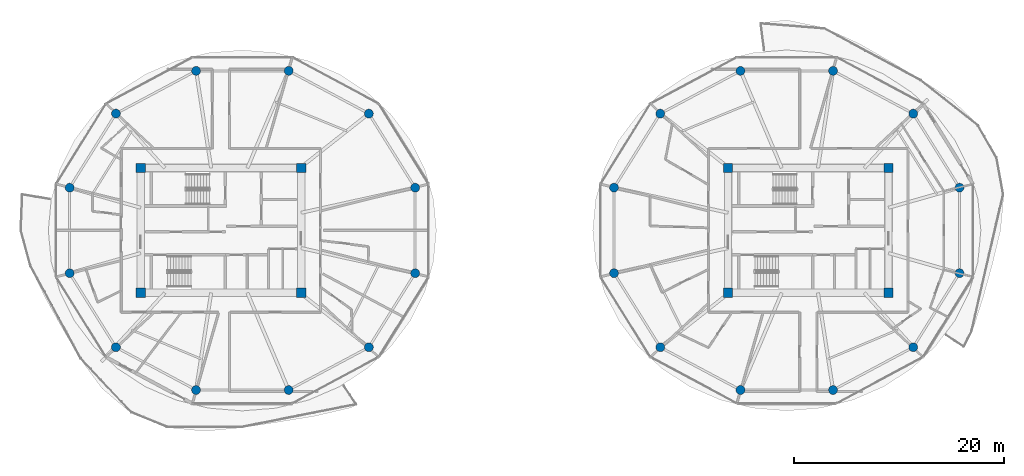
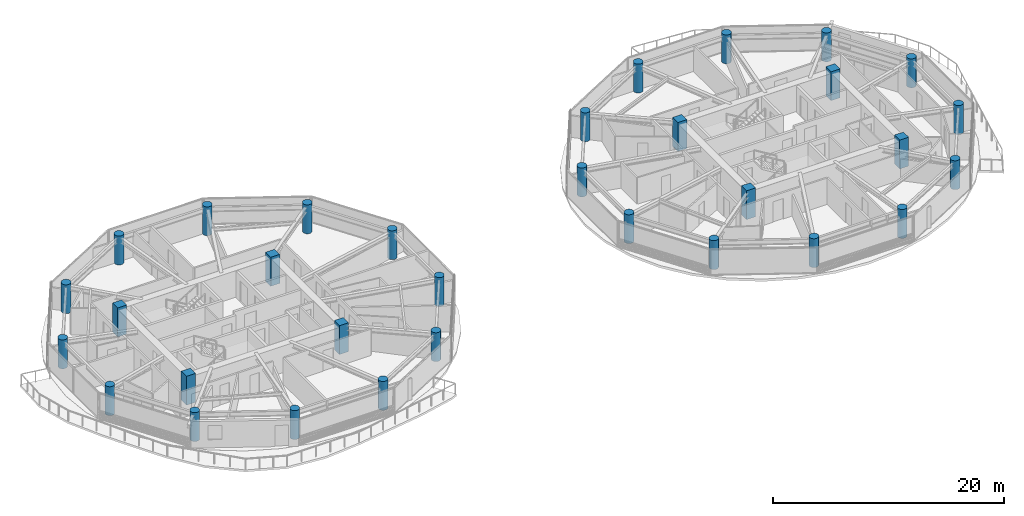
# One storey, part 1 of 24: 32 columns.
"""IFC4 building model written with IfcOpenShell, lengths in metres."""

from ifc_helpers import new_model, si_unit, direction, frame, origin, origin_2d, place, context, subcontext, project, spatial, rectangle, circle, extrude, source, transform, mapped, material, material_profile, profile_set, type_object, type_shapes, element, save


model = new_model("IFC4")

# Units and contexts
model_context = context("Model", 3, precision=1e-05, world=origin(), true_north=direction((0.0, 1.0)))
body_context = subcontext(model_context, "Body", "Model", "MODEL_VIEW")
ifc_project = project(units=[si_unit("LENGTHUNIT", "METRE"), si_unit("AREAUNIT", "SQUARE_METRE"), si_unit("VOLUMEUNIT", "CUBIC_METRE"), si_unit("PLANEANGLEUNIT", "RADIAN"), si_unit("MASSUNIT", "GRAM", prefix="KILO")], contexts=[model_context])

# Site, building, storey
site_placement = place(None, origin())
site = spatial("IfcSite", under=ifc_project, at=site_placement, CompositionType="ELEMENT")
building_placement = place(site_placement, origin())
building = spatial("IfcBuilding", under=site, at=building_placement, Name="Norrkilde Senior Care Towers", CompositionType="ELEMENT")
storey_placement = place(building_placement, frame((0.0, 0.0, 105.39990234375)))
storey = spatial("IfcBuildingStorey", under=building, at=storey_placement, Name="L32", CompositionType="ELEMENT", Elevation=105.39990234375)

# Columns
ifc_material = material(Name="Concrete C60/75", Category="concrete")
ifc_material_profile_1 = material_profile(ifc_material, rectangle(XDim=0.89990234375, YDim=0.89990234375, at=origin_2d()), Name="RC COL 900x900")
ifc_profile_set_1 = profile_set([ifc_material_profile_1], Name="Concrete C60/75")
column_type_1 = type_object("IfcColumnType", Name="Column Core Corner Z1-Z2 900", PredefinedType="COLUMN", material=ifc_profile_set_1)
shared_shape_1 = source(origin(), body_context, "Body", "SweptSolid", [
    extrude(rectangle(XDim=0.89990234375, YDim=0.89990234375, at=origin_2d()), origin(), (0.0, 0.0, 1.0), 3.050048828125),
])
type_shapes(column_type_1, [shared_shape_1])
for number, where, z_axis, x_axis, name in (
    (1, (-35.64990234375, -5.949951171875, 0.0), (0.0, 0.0, 1.0), (1.0, 0.0, 0.0), "L32 Core W Corner Column 1"),
    (2, (-20.35009765625, -5.949951171875, 0.0), (0.0, 0.0, 1.0), (1.0, 0.0, 0.0), "L32 Core W Corner Column 2"),
    (3, (-20.35009765625, 5.949951171875, 0.0), (0.0, 0.0, 1.0), (1.0, 0.0, 0.0), "L32 Core W Corner Column 3"),
    (4, (-35.64990234375, 5.949951171875, 0.0), (0.0, 0.0, 1.0), (1.0, 0.0, 0.0), "L32 Core W Corner Column 4"),
    (5, (20.35009765625, -5.949951171875, 0.0), (0.0, 0.0, 1.0), (1.0, 0.0, 0.0), "L32 Core E Corner Column 1"),
    (6, (35.64990234375, -5.949951171875, 0.0), (0.0, 0.0, 1.0), (1.0, 0.0, 0.0), "L32 Core E Corner Column 2"),
    (7, (35.64990234375, 5.949951171875, 0.0), (0.0, 0.0, 1.0), (1.0, 0.0, 0.0), "L32 Core E Corner Column 3"),
    (8, (20.35009765625, 5.949951171875, 0.0), (0.0, 0.0, 1.0), (1.0, 0.0, 0.0), "L32 Core E Corner Column 4"),
):
    element("IfcColumn", number, at=place(storey_placement, frame(where, z_axis=z_axis, x_axis=x_axis)), inside=storey, type_object=column_type_1, Name=name, PredefinedType="COLUMN", context=body_context, shape_type="MappedRepresentation", body=[
        mapped(shared_shape_1, transform((0.0, 0.0, 0.0), x_axis=(1.0, 0.0, 0.0), y_axis=(0.0, 1.0, 0.0), z_axis=(0.0, 0.0, 1.0), scale=1.0)),
    ])
ifc_material_profile_2 = material_profile(ifc_material, circle(Radius=0.425048828125, at=origin_2d()), Name="RC CIR 850")
ifc_profile_set_2 = profile_set([ifc_material_profile_2], Name="Concrete C60/75")
column_type_2 = type_object("IfcColumnType", Name="Column Perimeter Z2 850", PredefinedType="COLUMN", material=ifc_profile_set_2)
shared_shape_2 = source(origin(), body_context, "Body", "SweptSolid", [
    extrude(circle(Radius=0.425048828125, at=origin_2d()), origin(), (0.0, 0.0, 1.0), 3.050048828125),
])
type_shapes(column_type_2, [shared_shape_2])
for number, where, z_axis, x_axis, name in (
    (9, (-9.48095703125, 4.076416015625, 0.0), (0.0, 0.0, 1.0), (1.0, 0.0, 0.0), "L32 Drum W Perimeter Column 01"),
    (10, (-13.893798828125, 11.136962890625, 0.0), (0.0, 0.0, 1.0), (1.0, 0.0, 0.0), "L32 Drum W Perimeter Column 02"),
    (11, (-21.537109375, 15.21337890625, 0.0), (0.0, 0.0, 1.0), (1.0, 0.0, 0.0), "L32 Drum W Perimeter Column 03"),
    (12, (-30.36279296875, 15.21337890625, 0.0), (0.0, 0.0, 1.0), (1.0, 0.0, 0.0), "L32 Drum W Perimeter Column 04"),
    (13, (-38.006103515625, 11.136962890625, 0.0), (0.0, 0.0, 1.0), (1.0, 0.0, 0.0), "L32 Drum W Perimeter Column 05"),
    (14, (-42.4189453125, 4.076416015625, 0.0), (0.0, 0.0, 1.0), (1.0, 0.0, 0.0), "L32 Drum W Perimeter Column 06"),
    (15, (-42.4189453125, -4.076416015625, 0.0), (0.0, 0.0, 1.0), (1.0, 0.0, 0.0), "L32 Drum W Perimeter Column 07"),
    (16, (-38.006103515625, -11.136962890625, 0.0), (0.0, 0.0, 1.0), (1.0, 0.0, 0.0), "L32 Drum W Perimeter Column 08"),
    (17, (-30.36279296875, -15.21337890625, 0.0), (0.0, 0.0, 1.0), (1.0, 0.0, 0.0), "L32 Drum W Perimeter Column 09"),
    (18, (-21.537109375, -15.21337890625, 0.0), (0.0, 0.0, 1.0), (1.0, 0.0, 0.0), "L32 Drum W Perimeter Column 10"),
    (19, (-13.893798828125, -11.136962890625, 0.0), (0.0, 0.0, 1.0), (1.0, 0.0, 0.0), "L32 Drum W Perimeter Column 11"),
    (20, (-9.48095703125, -4.076416015625, 0.0), (0.0, 0.0, 1.0), (1.0, 0.0, 0.0), "L32 Drum W Perimeter Column 12"),
    (21, (42.4189453125, 4.076416015625, 0.0), (0.0, 0.0, 1.0), (1.0, 0.0, 0.0), "L32 Drum E Perimeter Column 01"),
    (22, (38.006103515625, 11.136962890625, 0.0), (0.0, 0.0, 1.0), (1.0, 0.0, 0.0), "L32 Drum E Perimeter Column 02"),
    (23, (30.36279296875, 15.21337890625, 0.0), (0.0, 0.0, 1.0), (1.0, 0.0, 0.0), "L32 Drum E Perimeter Column 03"),
    (24, (21.537109375, 15.21337890625, 0.0), (0.0, 0.0, 1.0), (1.0, 0.0, 0.0), "L32 Drum E Perimeter Column 04"),
    (25, (13.893798828125, 11.136962890625, 0.0), (0.0, 0.0, 1.0), (1.0, 0.0, 0.0), "L32 Drum E Perimeter Column 05"),
    (26, (9.48095703125, 4.076416015625, 0.0), (0.0, 0.0, 1.0), (1.0, 0.0, 0.0), "L32 Drum E Perimeter Column 06"),
    (27, (9.48095703125, -4.076416015625, 0.0), (0.0, 0.0, 1.0), (1.0, 0.0, 0.0), "L32 Drum E Perimeter Column 07"),
    (28, (13.893798828125, -11.136962890625, 0.0), (0.0, 0.0, 1.0), (1.0, 0.0, 0.0), "L32 Drum E Perimeter Column 08"),
    (29, (21.537109375, -15.21337890625, 0.0), (0.0, 0.0, 1.0), (1.0, 0.0, 0.0), "L32 Drum E Perimeter Column 09"),
    (30, (30.36279296875, -15.21337890625, 0.0), (0.0, 0.0, 1.0), (1.0, 0.0, 0.0), "L32 Drum E Perimeter Column 10"),
    (31, (38.006103515625, -11.136962890625, 0.0), (0.0, 0.0, 1.0), (1.0, 0.0, 0.0), "L32 Drum E Perimeter Column 11"),
    (32, (42.4189453125, -4.076416015625, 0.0), (0.0, 0.0, 1.0), (1.0, 0.0, 0.0), "L32 Drum E Perimeter Column 12"),
):
    element("IfcColumn", number, at=place(storey_placement, frame(where, z_axis=z_axis, x_axis=x_axis)), inside=storey, type_object=column_type_2, Name=name, PredefinedType="COLUMN", context=body_context, shape_type="MappedRepresentation", body=[
        mapped(shared_shape_2, transform((0.0, 0.0, 0.0), x_axis=(1.0, 0.0, 0.0), y_axis=(0.0, 1.0, 0.0), z_axis=(0.0, 0.0, 1.0), scale=1.0)),
    ])

save(model, "model.ifc")
